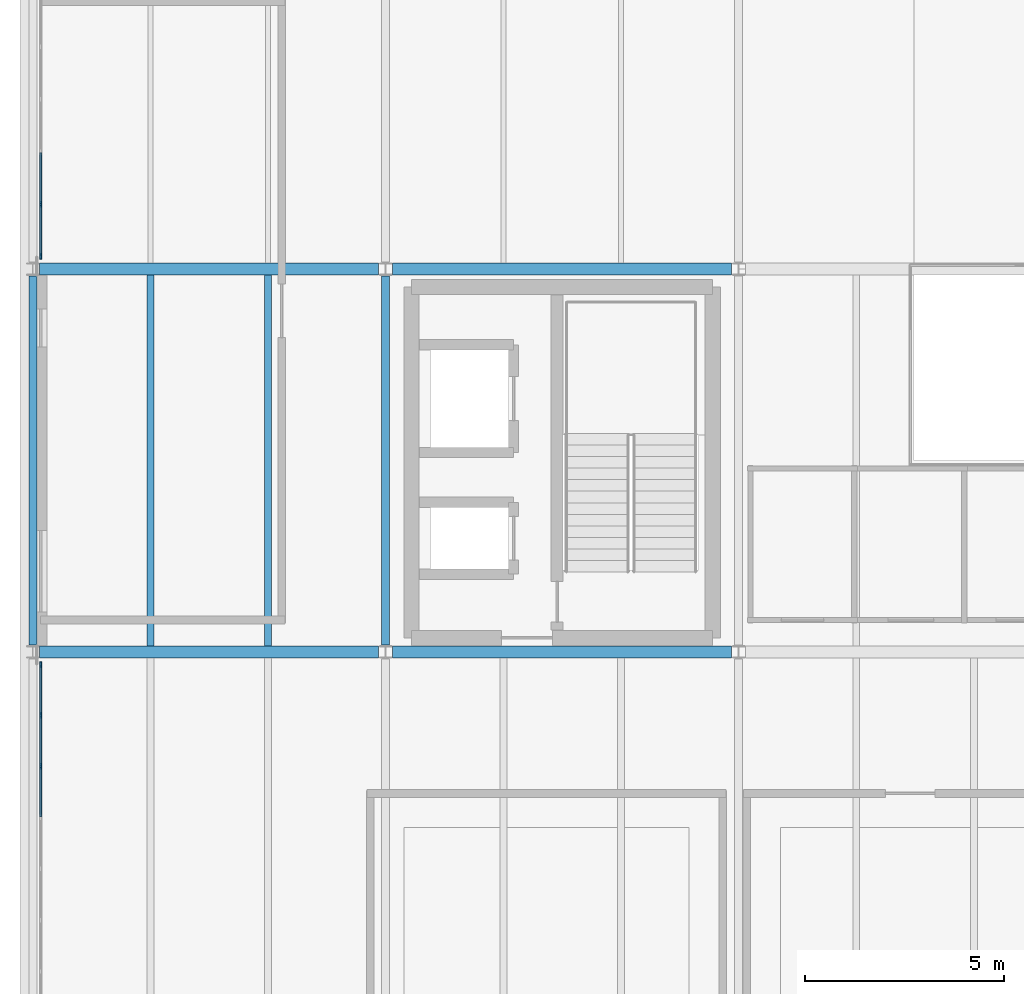
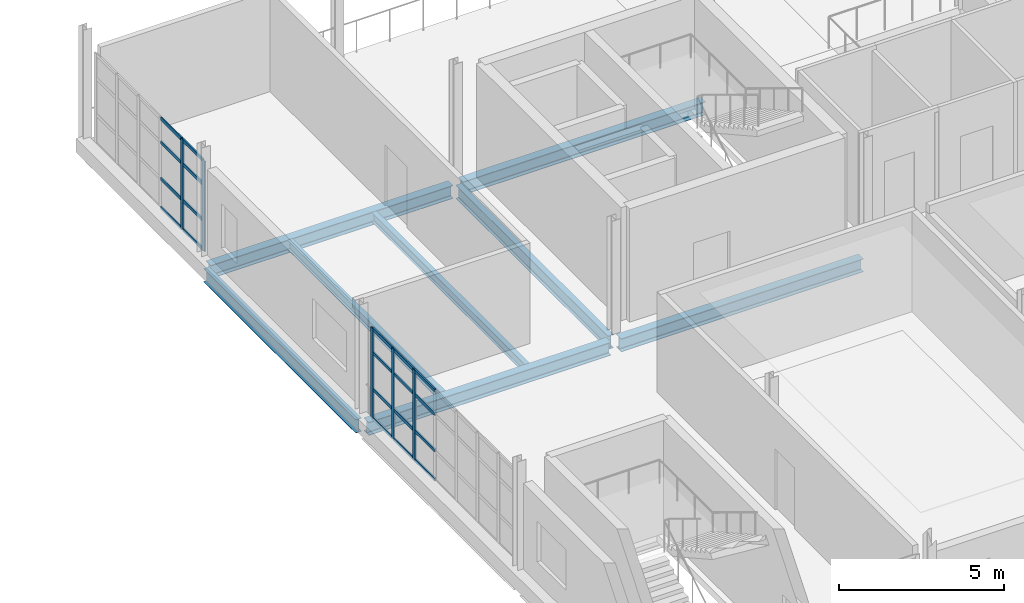
# One storey, part 18 of 58: 25 members, 8 beams, 2 elements without a shape of their own.
"""IFC4 building model written with IfcOpenShell, lengths in metres."""

import ifcopenshell
import ifcopenshell.guid

model = None  # the IFC model being written
_history = None  # IfcOwnerHistory: only IFC2X3 demands one
_inside = {}  # id of a spatial element -> (the spatial element, [elements in it])
_under = {}  # id of a project, library or spatial element -> (it, [spatial elements below it])
_declared = {}  # id of a project -> (the project, [libraries it declares])
_typed = {}  # id of a type object -> (the type object, [elements of that type])
_made_of = {}  # id of a material, layer set ... -> (it, [elements and type objects made of it])


def new_model(schema):
    """Start an empty IFC model of exactly this schema.

    Asked for "IFC4X3", IfcOpenShell would pick the latest addendum, in which some entities
    have other attributes; the version numbers below select the first issue.
    IFC2X3 requires an IfcOwnerHistory on every rooted entity: one is made here for all.
    """
    global model, _history
    if schema == "IFC4X3":
        model = ifcopenshell.file(schema_version=(4, 3, 0, 0))
    else:
        model = ifcopenshell.file(schema=schema)
    _inside.clear()
    _under.clear()
    _declared.clear()
    _typed.clear()
    _made_of.clear()
    _history = None
    if model.schema == "IFC2X3":
        org = make("IfcOrganization", Name="unknown")
        user = make(
            "IfcPersonAndOrganization",
            ThePerson=make("IfcPerson", FamilyName="unknown"),
            TheOrganization=org,
        )
        app = make(
            "IfcApplication",
            ApplicationDeveloper=org,
            Version="unknown",
            ApplicationFullName="unknown",
            ApplicationIdentifier="unknown",
        )
        _history = make(
            "IfcOwnerHistory",
            OwningUser=user,
            OwningApplication=app,
            ChangeAction="ADDED",
            CreationDate=0,
        )
    return model


def make(cls, **values):
    """One entity of the class cls with the attributes given. An attribute that is None is left unset."""
    return model.create_entity(
        cls, **{name: value for name, value in values.items() if value is not None}
    )


def rooted(cls, **values):
    """An entity with a GlobalId (a new one), such as an element, a storey or a relation."""
    return make(cls, GlobalId=ifcopenshell.guid.new(), OwnerHistory=_history, **values)


def si_unit(unit_type, name, prefix=None):
    """IfcSIUnit, for example si_unit("LENGTHUNIT", "METRE", prefix="MILLI")."""
    return make("IfcSIUnit", UnitType=unit_type, Prefix=prefix, Name=name)


def assignment(units):
    """IfcUnitAssignment: the units of a project."""
    return None if units is None else make("IfcUnitAssignment", Units=units)


def point(xyz):
    """IfcCartesianPoint."""
    return None if xyz is None else make("IfcCartesianPoint", Coordinates=xyz)


def direction(xyz):
    """IfcDirection."""
    return None if xyz is None else make("IfcDirection", DirectionRatios=xyz)


def frame(location, z_axis=None, x_axis=None):
    """IfcAxis2Placement3D, a coordinate frame: its origin and axes. An axis left out is left unset."""
    return make(
        "IfcAxis2Placement3D",
        Location=point(location),
        Axis=direction(z_axis),
        RefDirection=direction(x_axis),
    )


def frame_2d(location, x_axis=None):
    """IfcAxis2Placement2D, a coordinate frame in the plane: its origin and x axis."""
    return make(
        "IfcAxis2Placement2D", Location=point(location), RefDirection=direction(x_axis)
    )


def origin():
    """The frame at (0, 0, 0) with its axes left unset."""
    return frame((0.0, 0.0, 0.0))


def origin_2d():
    """The frame at (0, 0) in the plane with its x axis left unset."""
    return frame_2d((0.0, 0.0))


def place(relative_to, where):
    """IfcLocalPlacement: puts the frame where relative to a parent placement (None: the world)."""
    return make(
        "IfcLocalPlacement", PlacementRelTo=relative_to, RelativePlacement=where
    )


def context(
    kind, dimensions, precision=None, world=None, true_north=None, identifier=None
):
    """IfcGeometricRepresentationContext, for example the 3D "Model" context."""
    return make(
        "IfcGeometricRepresentationContext",
        ContextIdentifier=identifier,
        ContextType=kind,
        CoordinateSpaceDimension=dimensions,
        Precision=precision,
        WorldCoordinateSystem=world,
        TrueNorth=true_north,
    )


def subcontext(parent, identifier, kind, view, scale=None):
    """IfcGeometricRepresentationSubContext, for example "Body" below "Model"."""
    return make(
        "IfcGeometricRepresentationSubContext",
        ContextIdentifier=identifier,
        ContextType=kind,
        ParentContext=parent,
        TargetScale=scale,
        TargetView=view,
    )


def project(units=None, contexts=None):
    """IfcProject with its units and contexts."""
    return rooted(
        "IfcProject",
        Name="project",
        RepresentationContexts=contexts,
        UnitsInContext=assignment(units),
    )


def spatial(cls, under=None, at=None, **own):
    """A site, building, storey or space (cls), placed at a placement, below another one or the project."""
    s = rooted(cls, ObjectPlacement=at, **own)
    if under is not None:
        _under.setdefault(under.id(), (under, []))[1].append(s)
    return s


def profile(cls, at=None, kind="AREA", **sizes):
    """A parametric profile (cls). Its sizes go by their IFC names, for example OverallWidth=200.0."""
    return make(cls, ProfileType=kind, Position=at, **sizes)


def rectangle(**sizes):
    """IfcRectangleProfileDef."""
    return profile("IfcRectangleProfileDef", **sizes)


def i_section(**sizes):
    """IfcIShapeProfileDef."""
    return profile("IfcIShapeProfileDef", **sizes)


def extrude(swept, where, along, depth):
    """IfcExtrudedAreaSolid: the profile swept, set in the frame where, extruded along a direction by depth."""
    return make(
        "IfcExtrudedAreaSolid",
        SweptArea=swept,
        Position=where,
        ExtrudedDirection=direction(along),
        Depth=depth,
    )


def shape(context_of_items, identifier, shape_type, items):
    """IfcShapeRepresentation: the items that make up one representation, for example the "Body"."""
    return make(
        "IfcShapeRepresentation",
        ContextOfItems=context_of_items,
        RepresentationIdentifier=identifier,
        RepresentationType=shape_type,
        Items=items,
    )


def material(Name=None, Category=None):
    """IfcMaterial."""
    return make("IfcMaterial", Name=Name, Category=Category)


def layer(
    of_material, thickness, ventilated=None, Name=None, Category=None, Priority=None
):
    """IfcMaterialLayer: one layer of a wall or slab, of a material (None: an air gap)."""
    return make(
        "IfcMaterialLayer",
        Material=of_material,
        LayerThickness=thickness,
        IsVentilated=ventilated,
        Name=Name,
        Category=Category,
        Priority=Priority,
    )


def layer_set(layers, Name=None):
    """IfcMaterialLayerSet."""
    return make("IfcMaterialLayerSet", MaterialLayers=layers, LayerSetName=Name)


def material_profile(
    of_material, cross_section, Name=None, Category=None, Priority=None
):
    """IfcMaterialProfile: a cross section and its material."""
    return make(
        "IfcMaterialProfile",
        Name=Name,
        Material=of_material,
        Profile=cross_section,
        Priority=Priority,
        Category=Category,
    )


def profile_set(profiles, Name=None, composite=None):
    """IfcMaterialProfileSet."""
    return make(
        "IfcMaterialProfileSet",
        Name=Name,
        MaterialProfiles=profiles,
        CompositeProfile=composite,
    )


def made_of(thing, what):
    """Note that an element or type object is made of a material, layer set ...; save() writes the relation."""
    if what is not None:
        _made_of.setdefault(what.id(), (what, []))[1].append(thing)
    return thing


def type_object(cls, material=None, **own):
    """A type object (cls), such as IfcWallType, which elements share."""
    return made_of(rooted(cls, **own), material)


def element(
    cls,
    number,
    at=None,
    inside=None,
    cuts=None,
    type_object=None,
    material=None,
    context=None,
    identifier="Body",
    shape_type=None,
    held_by="IfcProductDefinitionShape",
    body=None,
    shapes=None,
    **own,
):
    """One element of the class cls, such as IfcWall. Its Tag is "e" and its number.

    at: its placement. inside: the storey or other place that contains it. cuts: it is an
    opening in that element (IfcRelVoidsElement). A single representation is given by context,
    identifier, shape_type and body (its items); several are given by shapes. held_by: the class
    of the entity that holds the representations. save() writes the other relations.
    """
    e = rooted(cls, Tag="e%d" % number, ObjectPlacement=at, **own)
    if body is not None:
        shapes = [shape(context, identifier, shape_type, body)]
    if shapes is not None:
        e.Representation = make(held_by, Representations=shapes)
    if inside is not None:
        _inside.setdefault(inside.id(), (inside, []))[1].append(e)
    if cuts is not None:
        rooted(
            "IfcRelVoidsElement", RelatingBuildingElement=cuts, RelatedOpeningElement=e
        )
    if type_object is not None:
        _typed.setdefault(type_object.id(), (type_object, []))[1].append(e)
    return made_of(e, material)


def aggregate(whole, parts):
    """IfcRelAggregates: a whole, such as a stair, and the parts it consists of."""
    return rooted("IfcRelAggregates", RelatingObject=whole, RelatedObjects=parts)


def save(model, path):
    """Write the relations noted so far, then the file.

    IfcRelAggregates (storeys below a building ...), IfcRelContainedInSpatialStructure (elements
    in a storey), IfcRelDefinesByType, IfcRelAssociatesMaterial and IfcRelDeclares: one each for
    every whole, place, type object, material and project.
    """
    for whole, parts in _under.values():
        aggregate(whole, parts)
    for where, things in _inside.values():
        rooted(
            "IfcRelContainedInSpatialStructure",
            RelatedElements=things,
            RelatingStructure=where,
        )
    for kind, things in _typed.values():
        rooted("IfcRelDefinesByType", RelatedObjects=things, RelatingType=kind)
    for what, things in _made_of.values():
        rooted("IfcRelAssociatesMaterial", RelatedObjects=things, RelatingMaterial=what)
    for by, libraries in _declared.values():
        rooted("IfcRelDeclares", RelatingContext=by, RelatedDefinitions=libraries)
    model.write(path)


model = new_model("IFC4")

# Units and contexts
model_context = context("Model", 3, precision=1e-05, world=origin(), true_north=direction((0.0, 1.0)))
body_context = subcontext(model_context, "Body", "Model", "MODEL_VIEW")
ifc_project = project(units=[si_unit("LENGTHUNIT", "METRE"), si_unit("AREAUNIT", "SQUARE_METRE"), si_unit("VOLUMEUNIT", "CUBIC_METRE"), si_unit("PLANEANGLEUNIT", "RADIAN"), si_unit("MASSUNIT", "GRAM", prefix="KILO")], contexts=[model_context])

# Site, building, storey
site_placement = place(None, origin())
site = spatial("IfcSite", under=ifc_project, at=site_placement, CompositionType="ELEMENT")
building_placement = place(site_placement, origin())
building = spatial("IfcBuilding", under=site, at=building_placement, Name="Yeouljin Market Hall", CompositionType="ELEMENT")
storey_placement = place(building_placement, frame((0.0, 0.0, 10.800048828125)))
storey = spatial("IfcBuildingStorey", under=building, at=storey_placement, Name="L02", CompositionType="ELEMENT", Elevation=10.800048828125)

# Beams
ifc_material_1 = material(Name="Steel SM355", Category="steel")
ifc_material_profile_1 = material_profile(ifc_material_1, i_section(OverallWidth=0.199951171875, OverallDepth=0.5, WebThickness=0.010009765625, FlangeThickness=0.01611328125, FilletRadius=0.02001953125, at=origin_2d()), Name="H-500x200x10x16")
ifc_profile_set_1 = profile_set([ifc_material_profile_1], Name="Steel SM355")
beam_type_1 = type_object("IfcBeamType", Name="Beam_H-500x200x10x16", PredefinedType="BEAM", material=ifc_profile_set_1)
for number, where, z_axis, x_axis, name in (
    (1, (0.0, 19.375, -0.51513671875), (0.0, 1.0, 0.0), (-1.0, 0.0, 0.0), "Primary beam BM-L02-Y079"),
    (2, (8.85009765625, 19.375, -0.51513671875), (0.0, 1.0, 0.0), (-1.0, 0.0, 0.0), "Primary beam BM-L02-Y083"),
):
    element("IfcBeam", number, at=place(storey_placement, frame(where, z_axis=z_axis, x_axis=x_axis)), inside=storey, type_object=beam_type_1, Name=name, PredefinedType="BEAM", context=body_context, shape_type="SweptSolid", body=[
        extrude(i_section(OverallWidth=0.199951171875, OverallDepth=0.5, WebThickness=0.010009765625, FlangeThickness=0.01611328125, FilletRadius=0.02001953125, at=origin_2d()), origin(), (0.0, 0.0, 1.0), 9.25),
    ])

# Curtain wall, members
ifc_material_2 = material(Name="Thermally Broken Aluminium", Category="aluminium")
ifc_layer = layer(ifc_material_2, 0.14990234375)
ifc_layer_set = layer_set([ifc_layer], Name="Thermally Broken Aluminium")
curtain_wall_type = type_object("IfcCurtainWallType", Name="CW_AcademyRibbon_System", PredefinedType="USERDEFINED", material=ifc_layer_set)
curtain_wall_1_placement = place(storey_placement, origin())
curtain_wall_1 = element("IfcCurtainWall", 3, at=curtain_wall_1_placement, inside=storey, type_object=curtain_wall_type, Name="Curtain wall CW-L02-W05", ObjectType="CURTAIN WALL", PredefinedType="USERDEFINED")
ifc_material_3 = material(Name="Thermally Broken Aluminium", Category="aluminium")
ifc_material_profile_2 = material_profile(ifc_material_3, rectangle(XDim=0.048095703125, YDim=0.14990234375, at=origin_2d()), Name="CW-MULL-48x150")
ifc_profile_set_2 = profile_set([ifc_material_profile_2], Name="Thermally Broken Aluminium")
member_type_1 = type_object("IfcMemberType", Name="CWMullion_48x150", PredefinedType="MULLION", material=ifc_profile_set_2)
member_1_placement = place(storey_placement, frame((0.199951171875, 16.32861328125, 0.0), z_axis=(0.0, 0.0, 1.0), x_axis=(-1.0, 0.0, 0.0)))
member_1 = element("IfcMember", 4, at=member_1_placement, type_object=member_type_1, Name="CW-05 mullion 6", PredefinedType="MULLION", context=body_context, shape_type="SweptSolid", body=[
    extrude(rectangle(XDim=0.048095703125, YDim=0.14990234375, at=origin_2d()), origin(), (0.0, 0.0, 1.0), 3.349853515625),
])
member_2_placement = place(storey_placement, frame((0.199951171875, 17.6142578125, 0.0), z_axis=(0.0, 0.0, 1.0), x_axis=(-1.0, 0.0, 0.0)))
member_2 = element("IfcMember", 5, at=member_2_placement, type_object=member_type_1, Name="CW-05 mullion 7", PredefinedType="MULLION", context=body_context, shape_type="SweptSolid", body=[
    extrude(rectangle(XDim=0.048095703125, YDim=0.14990234375, at=origin_2d()), origin(), (0.0, 0.0, 1.0), 3.349853515625),
])
member_3_placement = place(storey_placement, frame((0.199951171875, 18.8759765625, 0.0), z_axis=(0.0, 0.0, 1.0), x_axis=(-1.0, 0.0, 0.0)))
member_3 = element("IfcMember", 6, at=member_3_placement, type_object=member_type_1, Name="CW-05 mullion 8", PredefinedType="MULLION", context=body_context, shape_type="SweptSolid", body=[
    extrude(rectangle(XDim=0.048095703125, YDim=0.14990234375, at=origin_2d()), origin(), (0.0, 0.0, 1.0), 3.349853515625),
])

curtain_wall_2_placement = place(storey_placement, origin())
curtain_wall_2 = element("IfcCurtainWall", 7, at=curtain_wall_2_placement, inside=storey, type_object=curtain_wall_type, Name="Curtain wall CW-L02-W07", ObjectType="CURTAIN WALL", PredefinedType="USERDEFINED")
member_4_placement = place(storey_placement, frame((0.199951171875, 29.1240234375, 0.0), z_axis=(0.0, 0.0, 1.0), x_axis=(-1.0, 0.0, 0.0)))
member_4 = element("IfcMember", 8, at=member_4_placement, type_object=member_type_1, Name="CW-05 mullion 1", PredefinedType="MULLION", context=body_context, shape_type="SweptSolid", body=[
    extrude(rectangle(XDim=0.048095703125, YDim=0.14990234375, at=origin_2d()), origin(), (0.0, 0.0, 1.0), 3.349853515625),
])
member_5_placement = place(storey_placement, frame((0.199951171875, 30.419921875, 0.0), z_axis=(0.0, 0.0, 1.0), x_axis=(-1.0, 0.0, 0.0)))
member_5 = element("IfcMember", 9, at=member_5_placement, type_object=member_type_1, Name="CW-05 mullion 2", PredefinedType="MULLION", context=body_context, shape_type="SweptSolid", body=[
    extrude(rectangle(XDim=0.048095703125, YDim=0.14990234375, at=origin_2d()), origin(), (0.0, 0.0, 1.0), 3.349853515625),
])

# Member
ifc_material_4 = material(Name="Thermally Broken Aluminium", Category="aluminium")
ifc_material_profile_3 = material_profile(ifc_material_4, rectangle(XDim=0.048095703125, YDim=0.1201171875, at=origin_2d()), Name="CW-TRAN-48x120")
ifc_profile_set_3 = profile_set([ifc_material_profile_3], Name="Thermally Broken Aluminium")
member_type_2 = type_object("IfcMemberType", Name="CWTransom_48x120", PredefinedType="USERDEFINED", material=ifc_profile_set_3)
member_6_placement = place(storey_placement, frame((0.199951171875, 15.06689453125, 0.02392578125), z_axis=(0.0, 1.0, 0.0), x_axis=(-1.0, 0.0, 0.0)))
member_6 = element("IfcMember", 10, at=member_6_placement, type_object=member_type_2, Name="CW-05 transom 5.1", ObjectType="TRANSOM", PredefinedType="USERDEFINED", context=body_context, shape_type="SweptSolid", body=[
    extrude(rectangle(XDim=0.048095703125, YDim=0.1201171875, at=origin_2d()), origin(), (0.0, 0.0, 1.0), 1.23779296875),
])

member_7_placement = place(storey_placement, frame((0.199951171875, 15.06689453125, 1.099853515625), z_axis=(0.0, 1.0, 0.0), x_axis=(-1.0, 0.0, 0.0)))
member_7 = element("IfcMember", 11, at=member_7_placement, type_object=member_type_2, Name="CW-05 transom 5.2", ObjectType="TRANSOM", PredefinedType="USERDEFINED", context=body_context, shape_type="SweptSolid", body=[
    extrude(rectangle(XDim=0.048095703125, YDim=0.1201171875, at=origin_2d()), origin(), (0.0, 0.0, 1.0), 1.23779296875),
])

member_8_placement = place(storey_placement, frame((0.199951171875, 15.06689453125, 2.449951171875), z_axis=(0.0, 1.0, 0.0), x_axis=(-1.0, 0.0, 0.0)))
member_8 = element("IfcMember", 12, at=member_8_placement, type_object=member_type_2, Name="CW-05 transom 5.3", ObjectType="TRANSOM", PredefinedType="USERDEFINED", context=body_context, shape_type="SweptSolid", body=[
    extrude(rectangle(XDim=0.048095703125, YDim=0.1201171875, at=origin_2d()), origin(), (0.0, 0.0, 1.0), 1.23779296875),
])

member_9_placement = place(storey_placement, frame((0.199951171875, 15.06689453125, 3.325927734375), z_axis=(0.0, 1.0, 0.0), x_axis=(-1.0, 0.0, 0.0)))
member_9 = element("IfcMember", 13, at=member_9_placement, type_object=member_type_2, Name="CW-05 transom 5.4", ObjectType="TRANSOM", PredefinedType="USERDEFINED", context=body_context, shape_type="SweptSolid", body=[
    extrude(rectangle(XDim=0.048095703125, YDim=0.1201171875, at=origin_2d()), origin(), (0.0, 0.0, 1.0), 1.23779296875),
])

member_10_placement = place(storey_placement, frame((0.199951171875, 16.3525390625, 0.02392578125), z_axis=(0.0, 1.0, 0.0), x_axis=(-1.0, 0.0, 0.0)))
member_10 = element("IfcMember", 14, at=member_10_placement, type_object=member_type_2, Name="CW-05 transom 6.1", ObjectType="TRANSOM", PredefinedType="USERDEFINED", context=body_context, shape_type="SweptSolid", body=[
    extrude(rectangle(XDim=0.048095703125, YDim=0.1201171875, at=origin_2d()), origin(), (0.0, 0.0, 1.0), 1.23779296875),
])

member_11_placement = place(storey_placement, frame((0.199951171875, 16.3525390625, 1.099853515625), z_axis=(0.0, 1.0, 0.0), x_axis=(-1.0, 0.0, 0.0)))
member_11 = element("IfcMember", 15, at=member_11_placement, type_object=member_type_2, Name="CW-05 transom 6.2", ObjectType="TRANSOM", PredefinedType="USERDEFINED", context=body_context, shape_type="SweptSolid", body=[
    extrude(rectangle(XDim=0.048095703125, YDim=0.1201171875, at=origin_2d()), origin(), (0.0, 0.0, 1.0), 1.23779296875),
])

member_12_placement = place(storey_placement, frame((0.199951171875, 16.3525390625, 2.449951171875), z_axis=(0.0, 1.0, 0.0), x_axis=(-1.0, 0.0, 0.0)))
member_12 = element("IfcMember", 16, at=member_12_placement, type_object=member_type_2, Name="CW-05 transom 6.3", ObjectType="TRANSOM", PredefinedType="USERDEFINED", context=body_context, shape_type="SweptSolid", body=[
    extrude(rectangle(XDim=0.048095703125, YDim=0.1201171875, at=origin_2d()), origin(), (0.0, 0.0, 1.0), 1.23779296875),
])

member_13_placement = place(storey_placement, frame((0.199951171875, 16.3525390625, 3.325927734375), z_axis=(0.0, 1.0, 0.0), x_axis=(-1.0, 0.0, 0.0)))
member_13 = element("IfcMember", 17, at=member_13_placement, type_object=member_type_2, Name="CW-05 transom 6.4", ObjectType="TRANSOM", PredefinedType="USERDEFINED", context=body_context, shape_type="SweptSolid", body=[
    extrude(rectangle(XDim=0.048095703125, YDim=0.1201171875, at=origin_2d()), origin(), (0.0, 0.0, 1.0), 1.23779296875),
])

member_14_placement = place(storey_placement, frame((0.199951171875, 17.63818359375, 0.02392578125), z_axis=(0.0, 1.0, 0.0), x_axis=(-1.0, 0.0, 0.0)))
member_14 = element("IfcMember", 18, at=member_14_placement, type_object=member_type_2, Name="CW-05 transom 7.1", ObjectType="TRANSOM", PredefinedType="USERDEFINED", context=body_context, shape_type="SweptSolid", body=[
    extrude(rectangle(XDim=0.048095703125, YDim=0.1201171875, at=origin_2d()), origin(), (0.0, 0.0, 1.0), 1.2138671875),
])

member_15_placement = place(storey_placement, frame((0.199951171875, 17.63818359375, 1.099853515625), z_axis=(0.0, 1.0, 0.0), x_axis=(-1.0, 0.0, 0.0)))
member_15 = element("IfcMember", 19, at=member_15_placement, type_object=member_type_2, Name="CW-05 transom 7.2", ObjectType="TRANSOM", PredefinedType="USERDEFINED", context=body_context, shape_type="SweptSolid", body=[
    extrude(rectangle(XDim=0.048095703125, YDim=0.1201171875, at=origin_2d()), origin(), (0.0, 0.0, 1.0), 1.2138671875),
])

member_16_placement = place(storey_placement, frame((0.199951171875, 17.63818359375, 2.449951171875), z_axis=(0.0, 1.0, 0.0), x_axis=(-1.0, 0.0, 0.0)))
member_16 = element("IfcMember", 20, at=member_16_placement, type_object=member_type_2, Name="CW-05 transom 7.3", ObjectType="TRANSOM", PredefinedType="USERDEFINED", context=body_context, shape_type="SweptSolid", body=[
    extrude(rectangle(XDim=0.048095703125, YDim=0.1201171875, at=origin_2d()), origin(), (0.0, 0.0, 1.0), 1.2138671875),
])

member_17_placement = place(storey_placement, frame((0.199951171875, 17.63818359375, 3.325927734375), z_axis=(0.0, 1.0, 0.0), x_axis=(-1.0, 0.0, 0.0)))
member_17 = element("IfcMember", 21, at=member_17_placement, type_object=member_type_2, Name="CW-05 transom 7.4", ObjectType="TRANSOM", PredefinedType="USERDEFINED", context=body_context, shape_type="SweptSolid", body=[
    extrude(rectangle(XDim=0.048095703125, YDim=0.1201171875, at=origin_2d()), origin(), (0.0, 0.0, 1.0), 1.2138671875),
])

aggregate(curtain_wall_1, [member_1, member_2, member_3, member_6, member_7, member_8, member_9, member_10, member_11, member_12, member_13, member_14, member_15, member_16, member_17])

member_18_placement = place(storey_placement, frame((0.199951171875, 29.14794921875, 0.02392578125), z_axis=(0.0, 1.0, 0.0), x_axis=(-1.0, 0.0, 0.0)))
member_18 = element("IfcMember", 22, at=member_18_placement, type_object=member_type_2, Name="CW-05 transom 1.1", ObjectType="TRANSOM", PredefinedType="USERDEFINED", context=body_context, shape_type="SweptSolid", body=[
    extrude(rectangle(XDim=0.048095703125, YDim=0.1201171875, at=origin_2d()), origin(), (0.0, 0.0, 1.0), 1.248046875),
])

member_19_placement = place(storey_placement, frame((0.199951171875, 29.14794921875, 1.099853515625), z_axis=(0.0, 1.0, 0.0), x_axis=(-1.0, 0.0, 0.0)))
member_19 = element("IfcMember", 23, at=member_19_placement, type_object=member_type_2, Name="CW-05 transom 1.2", ObjectType="TRANSOM", PredefinedType="USERDEFINED", context=body_context, shape_type="SweptSolid", body=[
    extrude(rectangle(XDim=0.048095703125, YDim=0.1201171875, at=origin_2d()), origin(), (0.0, 0.0, 1.0), 1.248046875),
])

member_20_placement = place(storey_placement, frame((0.199951171875, 29.14794921875, 2.449951171875), z_axis=(0.0, 1.0, 0.0), x_axis=(-1.0, 0.0, 0.0)))
member_20 = element("IfcMember", 24, at=member_20_placement, type_object=member_type_2, Name="CW-05 transom 1.3", ObjectType="TRANSOM", PredefinedType="USERDEFINED", context=body_context, shape_type="SweptSolid", body=[
    extrude(rectangle(XDim=0.048095703125, YDim=0.1201171875, at=origin_2d()), origin(), (0.0, 0.0, 1.0), 1.248046875),
])

member_21_placement = place(storey_placement, frame((0.199951171875, 29.14794921875, 3.325927734375), z_axis=(0.0, 1.0, 0.0), x_axis=(-1.0, 0.0, 0.0)))
member_21 = element("IfcMember", 25, at=member_21_placement, type_object=member_type_2, Name="CW-05 transom 1.4", ObjectType="TRANSOM", PredefinedType="USERDEFINED", context=body_context, shape_type="SweptSolid", body=[
    extrude(rectangle(XDim=0.048095703125, YDim=0.1201171875, at=origin_2d()), origin(), (0.0, 0.0, 1.0), 1.248046875),
])

member_22_placement = place(storey_placement, frame((0.199951171875, 30.444091796875, 0.02392578125), z_axis=(0.0, 1.0, 0.0), x_axis=(-1.0, 0.0, 0.0)))
member_22 = element("IfcMember", 26, at=member_22_placement, type_object=member_type_2, Name="CW-05 transom 2.1", ObjectType="TRANSOM", PredefinedType="USERDEFINED", context=body_context, shape_type="SweptSolid", body=[
    extrude(rectangle(XDim=0.048095703125, YDim=0.1201171875, at=origin_2d()), origin(), (0.0, 0.0, 1.0), 1.27197265625),
])

member_23_placement = place(storey_placement, frame((0.199951171875, 30.444091796875, 1.099853515625), z_axis=(0.0, 1.0, 0.0), x_axis=(-1.0, 0.0, 0.0)))
member_23 = element("IfcMember", 27, at=member_23_placement, type_object=member_type_2, Name="CW-05 transom 2.2", ObjectType="TRANSOM", PredefinedType="USERDEFINED", context=body_context, shape_type="SweptSolid", body=[
    extrude(rectangle(XDim=0.048095703125, YDim=0.1201171875, at=origin_2d()), origin(), (0.0, 0.0, 1.0), 1.27197265625),
])

member_24_placement = place(storey_placement, frame((0.199951171875, 30.444091796875, 2.449951171875), z_axis=(0.0, 1.0, 0.0), x_axis=(-1.0, 0.0, 0.0)))
member_24 = element("IfcMember", 28, at=member_24_placement, type_object=member_type_2, Name="CW-05 transom 2.3", ObjectType="TRANSOM", PredefinedType="USERDEFINED", context=body_context, shape_type="SweptSolid", body=[
    extrude(rectangle(XDim=0.048095703125, YDim=0.1201171875, at=origin_2d()), origin(), (0.0, 0.0, 1.0), 1.27197265625),
])

member_25_placement = place(storey_placement, frame((0.199951171875, 30.444091796875, 3.325927734375), z_axis=(0.0, 1.0, 0.0), x_axis=(-1.0, 0.0, 0.0)))
member_25 = element("IfcMember", 29, at=member_25_placement, type_object=member_type_2, Name="CW-05 transom 2.4", ObjectType="TRANSOM", PredefinedType="USERDEFINED", context=body_context, shape_type="SweptSolid", body=[
    extrude(rectangle(XDim=0.048095703125, YDim=0.1201171875, at=origin_2d()), origin(), (0.0, 0.0, 1.0), 1.27197265625),
])

aggregate(curtain_wall_2, [member_4, member_5, member_18, member_19, member_20, member_21, member_22, member_23, member_24, member_25])

# Beams
ifc_material_5 = material(Name="Steel SM355", Category="steel")
ifc_material_profile_4 = material_profile(ifc_material_5, i_section(OverallWidth=0.300048828125, OverallDepth=0.488037109375, WebThickness=0.010986328125, FlangeThickness=0.01806640625, FilletRadius=0.02197265625, at=origin_2d()), Name="H-488x300x11x18")
ifc_profile_set_4 = profile_set([ifc_material_profile_4], Name="Steel SM355")
beam_type_2 = type_object("IfcBeamType", Name="Girder_H-488x300x11x18", PredefinedType="USERDEFINED", material=ifc_profile_set_4)
for number, where, z_axis, x_axis, name in (
    (30, (0.175048828125, 19.199951171875, -0.509033203125), (1.0, 0.0, 0.0), (0.0, 1.0, 0.0), "Primary girder GRD-L02-X017"),
    (31, (9.02490234375, 19.199951171875, -0.509033203125), (1.0, 0.0, 0.0), (0.0, 1.0, 0.0), "Primary girder GRD-L02-X018"),
    (32, (0.175048828125, 28.800048828125, -0.509033203125), (1.0, 0.0, 0.0), (0.0, 1.0, 0.0), "Primary girder GRD-L02-X025"),
    (33, (9.02490234375, 28.800048828125, -0.509033203125), (1.0, 0.0, 0.0), (0.0, 1.0, 0.0), "Primary girder GRD-L02-X026"),
):
    element("IfcBeam", number, at=place(storey_placement, frame(where, z_axis=z_axis, x_axis=x_axis)), inside=storey, type_object=beam_type_2, Name=name, ObjectType="GIRDER", PredefinedType="USERDEFINED", context=body_context, shape_type="SweptSolid", body=[
        extrude(i_section(OverallWidth=0.300048828125, OverallDepth=0.488037109375, WebThickness=0.010986328125, FlangeThickness=0.01806640625, FilletRadius=0.02197265625, at=origin_2d()), origin(), (0.0, 0.0, 1.0), 8.5),
    ])
ifc_material_6 = material(Name="Steel SM355", Category="steel")
ifc_material_profile_5 = material_profile(ifc_material_6, i_section(OverallWidth=0.175048828125, OverallDepth=0.35009765625, WebThickness=0.007080078125, FlangeThickness=0.010986328125, FilletRadius=0.013916015625, at=origin_2d()), Name="H-350x175x7x11")
ifc_profile_set_5 = profile_set([ifc_material_profile_5], Name="Steel SM355")
beam_type_3 = type_object("IfcBeamType", Name="Joist_H-350x175x7x11", PredefinedType="JOIST", material=ifc_profile_set_5)
for number, where, z_axis, x_axis, name in (
    (34, (2.949951171875, 19.346923828125, -0.43994140625), (0.0, 1.0, 0.0), (-1.0, 0.0, 0.0), "Secondary floor joist L02-004"),
    (35, (5.89990234375, 19.346923828125, -0.43994140625), (0.0, 1.0, 0.0), (-1.0, 0.0, 0.0), "Secondary floor joist L02-005"),
):
    element("IfcBeam", number, at=place(storey_placement, frame(where, z_axis=z_axis, x_axis=x_axis)), inside=storey, type_object=beam_type_3, Name=name, PredefinedType="JOIST", context=body_context, shape_type="SweptSolid", body=[
        extrude(i_section(OverallWidth=0.175048828125, OverallDepth=0.35009765625, WebThickness=0.007080078125, FlangeThickness=0.010986328125, FilletRadius=0.013916015625, at=origin_2d()), origin(), (0.0, 0.0, 1.0), 9.30615234375),
    ])

save(model, "model.ifc")
